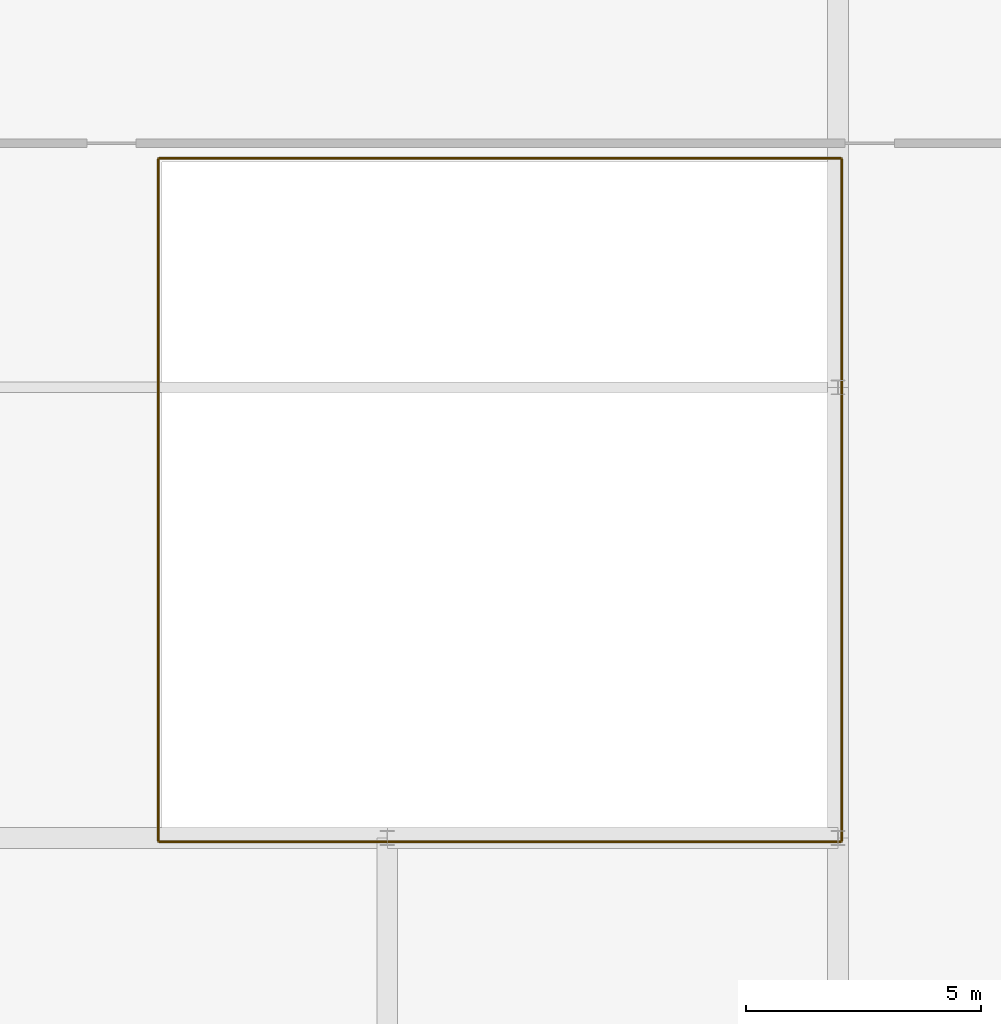
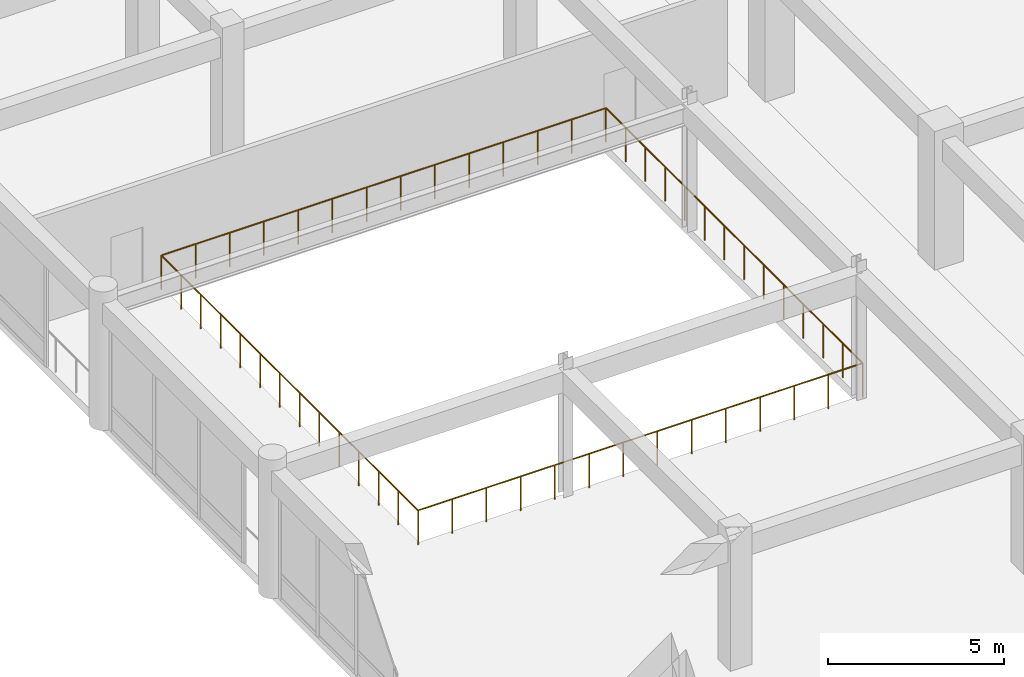
# One storey, part 128 of 133: 1 railing.
"""IFC4 building model written with IfcOpenShell, lengths in metres."""

from ifc_helpers import new_model, si_unit, direction, frame, origin, origin_2d, place, context, subcontext, project, spatial, circle, extrude, material, type_object, element, save


model = new_model("IFC4")

# Units and contexts
model_context = context("Model", 3, precision=1e-05, world=origin(), true_north=direction((0.0, 1.0)))
body_context = subcontext(model_context, "Body", "Model", "MODEL_VIEW")
ifc_project = project(units=[si_unit("LENGTHUNIT", "METRE"), si_unit("AREAUNIT", "SQUARE_METRE"), si_unit("VOLUMEUNIT", "CUBIC_METRE"), si_unit("PLANEANGLEUNIT", "RADIAN"), si_unit("MASSUNIT", "GRAM", prefix="KILO")], contexts=[model_context])

# Site, building, storey
site_placement = place(None, origin())
site = spatial("IfcSite", under=ifc_project, at=site_placement, CompositionType="ELEMENT")
building_placement = place(site_placement, origin())
building = spatial("IfcBuilding", under=site, at=building_placement, Name="Nakhvara Creek Congress Hotel", CompositionType="ELEMENT")
storey_placement = place(building_placement, frame((0.0, 0.0, 11.39990234375)))
storey = spatial("IfcBuildingStorey", under=building, at=storey_placement, Name="L02", CompositionType="ELEMENT", Elevation=11.39990234375)

# Railing
ifc_material = material(Name="Bronze-anodised aluminium and laminated safety glass balustrade", Category="aluminium")
railing_type = type_object("IfcRailingType", Name="RL-BALUS-1200", PredefinedType="BALUSTRADE", material=ifc_material)
railing_placement = place(storey_placement, frame((129.52001953125, 52.719970703125, 0.0)))
element("IfcRailing", 1, at=railing_placement, inside=storey, type_object=railing_type, Name="Atrium Void Glass Balustrade L02", PredefinedType="BALUSTRADE", context=body_context, shape_type="SweptSolid", body=[
    extrude(circle(Radius=0.02392578125, at=origin_2d()), frame((0.0146484375, 0.0, 1.17578125), z_axis=(1.0, 0.0, 0.0), x_axis=(0.0, 1.0, 0.0)), (0.0, 0.0, 1.0), 14.53076171875),
    extrude(circle(Radius=0.02392578125, at=origin_2d()), frame((14.56005859375, 0.0146484375, 1.17578125), z_axis=(0.0, 1.0, 0.0), x_axis=(-1.0, 0.0, 0.0)), (0.0, 0.0, 1.0), 14.53076171875),
    extrude(circle(Radius=0.02392578125, at=origin_2d()), frame((14.54541015625, 14.56005859375, 1.17578125), z_axis=(-1.0, 0.0, 0.0), x_axis=(0.0, -1.0, 0.0)), (0.0, 0.0, 1.0), 14.53076171875),
    extrude(circle(Radius=0.02392578125, at=origin_2d()), frame((0.0, 14.54541015625, 1.17578125), z_axis=(0.0, -1.0, 0.0), x_axis=(1.0, 0.0, 0.0)), (0.0, 0.0, 1.0), 14.53076171875),
    extrude(circle(Radius=0.02099609375, at=origin_2d()), origin(), (0.0, 0.0, 1.0), 1.1806640625),
    extrude(circle(Radius=0.02099609375, at=origin_2d()), frame((1.1201171875, 0.0, 0.0)), (0.0, 0.0, 1.0), 1.1806640625),
    extrude(circle(Radius=0.02099609375, at=origin_2d()), frame((2.239990234375, 0.0, 0.0)), (0.0, 0.0, 1.0), 1.1806640625),
    extrude(circle(Radius=0.02099609375, at=origin_2d()), frame((3.360107421875, 0.0, 0.0)), (0.0, 0.0, 1.0), 1.1806640625),
    extrude(circle(Radius=0.02099609375, at=origin_2d()), frame((4.47998046875, 0.0, 0.0)), (0.0, 0.0, 1.0), 1.1806640625),
    extrude(circle(Radius=0.02099609375, at=origin_2d()), frame((5.60009765625, 0.0, 0.0)), (0.0, 0.0, 1.0), 1.1806640625),
    extrude(circle(Radius=0.02099609375, at=origin_2d()), frame((6.719970703125, 0.0, 0.0)), (0.0, 0.0, 1.0), 1.1806640625),
    extrude(circle(Radius=0.02099609375, at=origin_2d()), frame((7.840087890625, 0.0, 0.0)), (0.0, 0.0, 1.0), 1.1806640625),
    extrude(circle(Radius=0.02099609375, at=origin_2d()), frame((8.9599609375, 0.0, 0.0)), (0.0, 0.0, 1.0), 1.1806640625),
    extrude(circle(Radius=0.02099609375, at=origin_2d()), frame((10.080078125, 0.0, 0.0)), (0.0, 0.0, 1.0), 1.1806640625),
    extrude(circle(Radius=0.02099609375, at=origin_2d()), frame((11.199951171875, 0.0, 0.0)), (0.0, 0.0, 1.0), 1.1806640625),
    extrude(circle(Radius=0.02099609375, at=origin_2d()), frame((12.320068359375, 0.0, 0.0)), (0.0, 0.0, 1.0), 1.1806640625),
    extrude(circle(Radius=0.02099609375, at=origin_2d()), frame((13.43994140625, 0.0, 0.0)), (0.0, 0.0, 1.0), 1.1806640625),
    extrude(circle(Radius=0.02099609375, at=origin_2d()), frame((14.56005859375, 0.0, 0.0)), (0.0, 0.0, 1.0), 1.1806640625),
    extrude(circle(Radius=0.02099609375, at=origin_2d()), frame((14.56005859375, 1.1201171875, 0.0)), (0.0, 0.0, 1.0), 1.1806640625),
    extrude(circle(Radius=0.02099609375, at=origin_2d()), frame((14.56005859375, 2.239990234375, 0.0)), (0.0, 0.0, 1.0), 1.1806640625),
    extrude(circle(Radius=0.02099609375, at=origin_2d()), frame((14.56005859375, 3.360107421875, 0.0)), (0.0, 0.0, 1.0), 1.1806640625),
    extrude(circle(Radius=0.02099609375, at=origin_2d()), frame((14.56005859375, 4.47998046875, 0.0)), (0.0, 0.0, 1.0), 1.1806640625),
    extrude(circle(Radius=0.02099609375, at=origin_2d()), frame((14.56005859375, 5.60009765625, 0.0)), (0.0, 0.0, 1.0), 1.1806640625),
    extrude(circle(Radius=0.02099609375, at=origin_2d()), frame((14.56005859375, 6.719970703125, 0.0)), (0.0, 0.0, 1.0), 1.1806640625),
    extrude(circle(Radius=0.02099609375, at=origin_2d()), frame((14.56005859375, 7.840087890625, 0.0)), (0.0, 0.0, 1.0), 1.1806640625),
    extrude(circle(Radius=0.02099609375, at=origin_2d()), frame((14.56005859375, 8.9599609375, 0.0)), (0.0, 0.0, 1.0), 1.1806640625),
    extrude(circle(Radius=0.02099609375, at=origin_2d()), frame((14.56005859375, 10.080078125, 0.0)), (0.0, 0.0, 1.0), 1.1806640625),
    extrude(circle(Radius=0.02099609375, at=origin_2d()), frame((14.56005859375, 11.199951171875, 0.0)), (0.0, 0.0, 1.0), 1.1806640625),
    extrude(circle(Radius=0.02099609375, at=origin_2d()), frame((14.56005859375, 12.320068359375, 0.0)), (0.0, 0.0, 1.0), 1.1806640625),
    extrude(circle(Radius=0.02099609375, at=origin_2d()), frame((14.56005859375, 13.43994140625, 0.0)), (0.0, 0.0, 1.0), 1.1806640625),
    extrude(circle(Radius=0.02099609375, at=origin_2d()), frame((14.56005859375, 14.56005859375, 0.0)), (0.0, 0.0, 1.0), 1.1806640625),
    extrude(circle(Radius=0.02099609375, at=origin_2d()), frame((13.43994140625, 14.56005859375, 0.0)), (0.0, 0.0, 1.0), 1.1806640625),
    extrude(circle(Radius=0.02099609375, at=origin_2d()), frame((12.320068359375, 14.56005859375, 0.0)), (0.0, 0.0, 1.0), 1.1806640625),
    extrude(circle(Radius=0.02099609375, at=origin_2d()), frame((11.199951171875, 14.56005859375, 0.0)), (0.0, 0.0, 1.0), 1.1806640625),
    extrude(circle(Radius=0.02099609375, at=origin_2d()), frame((10.080078125, 14.56005859375, 0.0)), (0.0, 0.0, 1.0), 1.1806640625),
    extrude(circle(Radius=0.02099609375, at=origin_2d()), frame((8.9599609375, 14.56005859375, 0.0)), (0.0, 0.0, 1.0), 1.1806640625),
    extrude(circle(Radius=0.02099609375, at=origin_2d()), frame((7.840087890625, 14.56005859375, 0.0)), (0.0, 0.0, 1.0), 1.1806640625),
    extrude(circle(Radius=0.02099609375, at=origin_2d()), frame((6.719970703125, 14.56005859375, 0.0)), (0.0, 0.0, 1.0), 1.1806640625),
    extrude(circle(Radius=0.02099609375, at=origin_2d()), frame((5.60009765625, 14.56005859375, 0.0)), (0.0, 0.0, 1.0), 1.1806640625),
    extrude(circle(Radius=0.02099609375, at=origin_2d()), frame((4.47998046875, 14.56005859375, 0.0)), (0.0, 0.0, 1.0), 1.1806640625),
    extrude(circle(Radius=0.02099609375, at=origin_2d()), frame((3.360107421875, 14.56005859375, 0.0)), (0.0, 0.0, 1.0), 1.1806640625),
    extrude(circle(Radius=0.02099609375, at=origin_2d()), frame((2.239990234375, 14.56005859375, 0.0)), (0.0, 0.0, 1.0), 1.1806640625),
    extrude(circle(Radius=0.02099609375, at=origin_2d()), frame((1.1201171875, 14.56005859375, 0.0)), (0.0, 0.0, 1.0), 1.1806640625),
    extrude(circle(Radius=0.02099609375, at=origin_2d()), frame((0.0, 14.56005859375, 0.0)), (0.0, 0.0, 1.0), 1.1806640625),
    extrude(circle(Radius=0.02099609375, at=origin_2d()), frame((0.0, 13.43994140625, 0.0)), (0.0, 0.0, 1.0), 1.1806640625),
    extrude(circle(Radius=0.02099609375, at=origin_2d()), frame((0.0, 12.320068359375, 0.0)), (0.0, 0.0, 1.0), 1.1806640625),
    extrude(circle(Radius=0.02099609375, at=origin_2d()), frame((0.0, 11.199951171875, 0.0)), (0.0, 0.0, 1.0), 1.1806640625),
    extrude(circle(Radius=0.02099609375, at=origin_2d()), frame((0.0, 10.080078125, 0.0)), (0.0, 0.0, 1.0), 1.1806640625),
    extrude(circle(Radius=0.02099609375, at=origin_2d()), frame((0.0, 8.9599609375, 0.0)), (0.0, 0.0, 1.0), 1.1806640625),
    extrude(circle(Radius=0.02099609375, at=origin_2d()), frame((0.0, 7.840087890625, 0.0)), (0.0, 0.0, 1.0), 1.1806640625),
    extrude(circle(Radius=0.02099609375, at=origin_2d()), frame((0.0, 6.719970703125, 0.0)), (0.0, 0.0, 1.0), 1.1806640625),
    extrude(circle(Radius=0.02099609375, at=origin_2d()), frame((0.0, 5.60009765625, 0.0)), (0.0, 0.0, 1.0), 1.1806640625),
    extrude(circle(Radius=0.02099609375, at=origin_2d()), frame((0.0, 4.47998046875, 0.0)), (0.0, 0.0, 1.0), 1.1806640625),
    extrude(circle(Radius=0.02099609375, at=origin_2d()), frame((0.0, 3.360107421875, 0.0)), (0.0, 0.0, 1.0), 1.1806640625),
    extrude(circle(Radius=0.02099609375, at=origin_2d()), frame((0.0, 2.239990234375, 0.0)), (0.0, 0.0, 1.0), 1.1806640625),
    extrude(circle(Radius=0.02099609375, at=origin_2d()), frame((0.0, 1.1201171875, 0.0)), (0.0, 0.0, 1.0), 1.1806640625),
])

save(model, "model.ifc")
